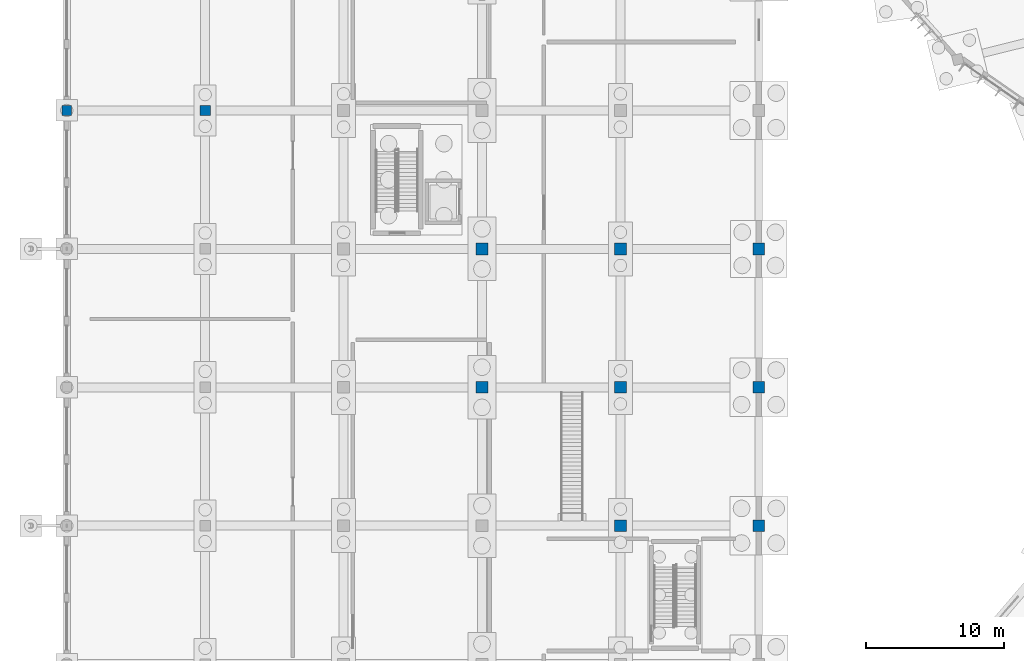
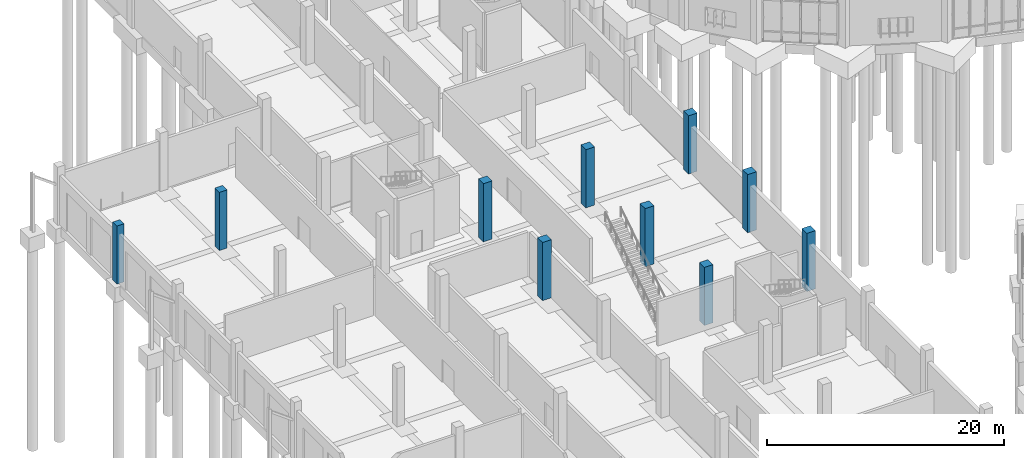
# One storey, part 19 of 140: 10 columns.
"""IFC4 building model written with IfcOpenShell, lengths in metres."""

from ifc_helpers import new_model, si_unit, direction, frame, origin, origin_2d, place, context, subcontext, project, spatial, rectangle, extrude, material, material_profile, profile_set, type_object, element, save


model = new_model("IFC4")

# Units and contexts
model_context = context("Model", 3, precision=1e-05, world=origin(), true_north=direction((0.0, 1.0)))
body_context = subcontext(model_context, "Body", "Model", "MODEL_VIEW")
ifc_project = project(units=[si_unit("LENGTHUNIT", "METRE"), si_unit("AREAUNIT", "SQUARE_METRE"), si_unit("VOLUMEUNIT", "CUBIC_METRE"), si_unit("PLANEANGLEUNIT", "RADIAN"), si_unit("MASSUNIT", "GRAM", prefix="KILO")], contexts=[model_context])

# Site, building, storey
site_placement = place(None, origin())
site = spatial("IfcSite", under=ifc_project, at=site_placement, CompositionType="ELEMENT")
building_placement = place(site_placement, origin())
building = spatial("IfcBuilding", under=site, at=building_placement, Name="Corvandel Quay Wholesale Market", CompositionType="ELEMENT")
storey_placement = place(building_placement, origin())
storey = spatial("IfcBuildingStorey", under=building, at=storey_placement, Name="L00", CompositionType="ELEMENT", Elevation=0.0)

# Columns
ifc_material = material(Name="Precast concrete C45/55", Category="concrete")
ifc_material_profile_1 = material_profile(ifc_material, rectangle(XDim=0.85009765625, YDim=0.85009765625, at=origin_2d()), Name="PC-COL-850x850")
ifc_profile_set_1 = profile_set([ifc_material_profile_1], Name="Precast concrete C45/55")
column_type_1 = type_object("IfcColumnType", Name="Precast Column C01 850x850", PredefinedType="COLUMN", material=ifc_profile_set_1)
for number, where, z_axis, x_axis, name in (
    (1, (30.0, 80.0, 0.0), (0.0, 0.0, 1.0), (1.0, 0.0, 0.0), "Column COL-0672"),
    (2, (30.0, 90.0, 0.0), (0.0, 0.0, 1.0), (1.0, 0.0, 0.0), "Column COL-0675"),
    (3, (40.0, 70.0, 0.0), (0.0, 0.0, 1.0), (1.0, 0.0, 0.0), "Column COL-0709"),
    (4, (40.0, 80.0, 0.0), (0.0, 0.0, 1.0), (1.0, 0.0, 0.0), "Column COL-0712"),
    (5, (40.0, 90.0, 0.0), (0.0, 0.0, 1.0), (1.0, 0.0, 0.0), "Column COL-0715"),
    (6, (50.0, 70.0, 0.0), (0.0, 0.0, 1.0), (1.0, 0.0, 0.0), "Column COL-0749"),
    (7, (50.0, 80.0, 0.0), (0.0, 0.0, 1.0), (1.0, 0.0, 0.0), "Column COL-0752"),
    (8, (50.0, 90.0, 0.0), (0.0, 0.0, 1.0), (1.0, 0.0, 0.0), "Column COL-0755"),
):
    element("IfcColumn", number, at=place(storey_placement, frame(where, z_axis=z_axis, x_axis=x_axis)), inside=storey, type_object=column_type_1, Name=name, PredefinedType="COLUMN", context=body_context, shape_type="SweptSolid", body=[
        extrude(rectangle(XDim=0.85009765625, YDim=0.85009765625, at=origin_2d()), origin(), (0.0, 0.0, 1.0), 6.0),
    ])
ifc_material_profile_2 = material_profile(ifc_material, rectangle(XDim=0.75, YDim=0.75, at=origin_2d()), Name="PC-COL-750x750")
ifc_profile_set_2 = profile_set([ifc_material_profile_2], Name="Precast concrete C45/55")
column_type_2 = type_object("IfcColumnType", Name="Precast Column C03 750x750", PredefinedType="COLUMN", material=ifc_profile_set_2)
column_1_placement = place(storey_placement, frame((10.0, 100.0, 0.0), z_axis=(0.0, 0.0, 1.0), x_axis=(1.0, 0.0, 0.0)))
element("IfcColumn", 9, at=column_1_placement, inside=storey, type_object=column_type_2, Name="Column COL-0609", PredefinedType="COLUMN", context=body_context, shape_type="SweptSolid", body=[
    extrude(rectangle(XDim=0.75, YDim=0.75, at=origin_2d()), origin(), (0.0, 0.0, 1.0), 6.0),
])
ifc_material_profile_3 = material_profile(ifc_material, rectangle(XDim=0.699951171875, YDim=0.699951171875, at=origin_2d()), Name="PC-COL-700x700")
ifc_profile_set_3 = profile_set([ifc_material_profile_3], Name="Precast concrete C45/55")
column_type_3 = type_object("IfcColumnType", Name="Precast Column C04 700x700", PredefinedType="COLUMN", material=ifc_profile_set_3)
column_2_placement = place(storey_placement, frame((0.0, 100.0, 0.0), z_axis=(0.0, 0.0, 1.0), x_axis=(1.0, 0.0, 0.0)))
element("IfcColumn", 10, at=column_2_placement, inside=storey, type_object=column_type_3, Name="Column COL-0598", PredefinedType="COLUMN", context=body_context, shape_type="SweptSolid", body=[
    extrude(rectangle(XDim=0.699951171875, YDim=0.699951171875, at=origin_2d()), origin(), (0.0, 0.0, 1.0), 6.0),
])

save(model, "model.ifc")
